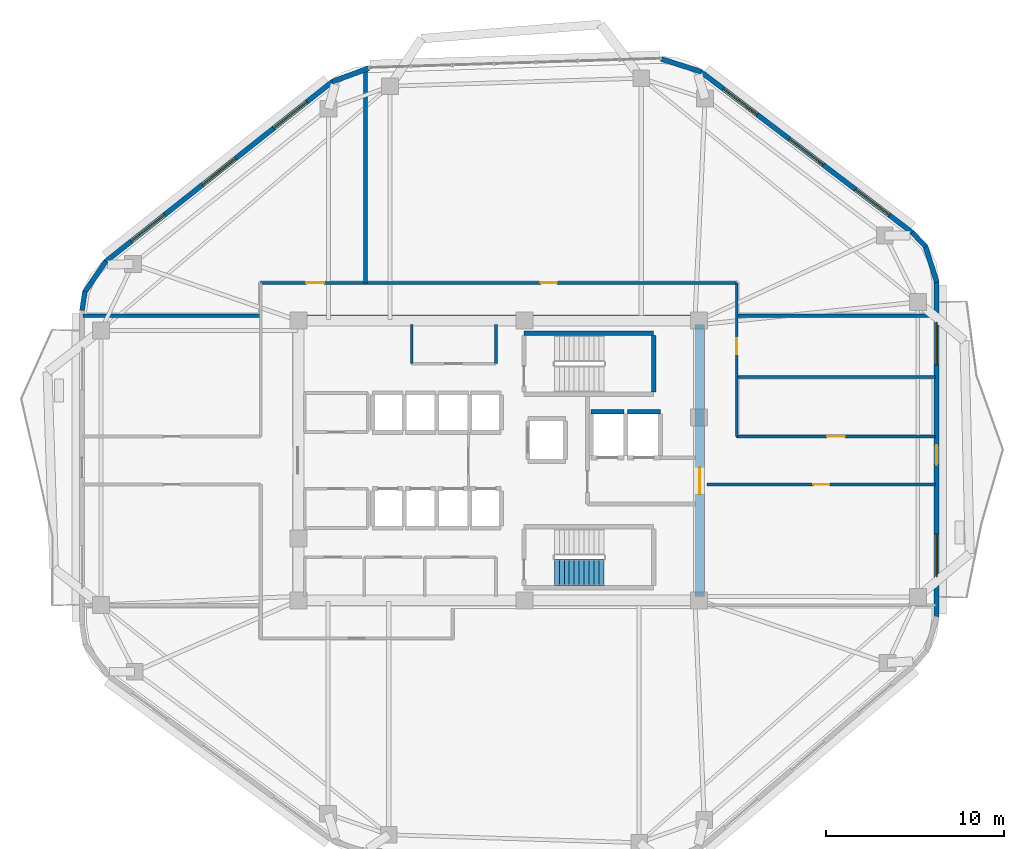
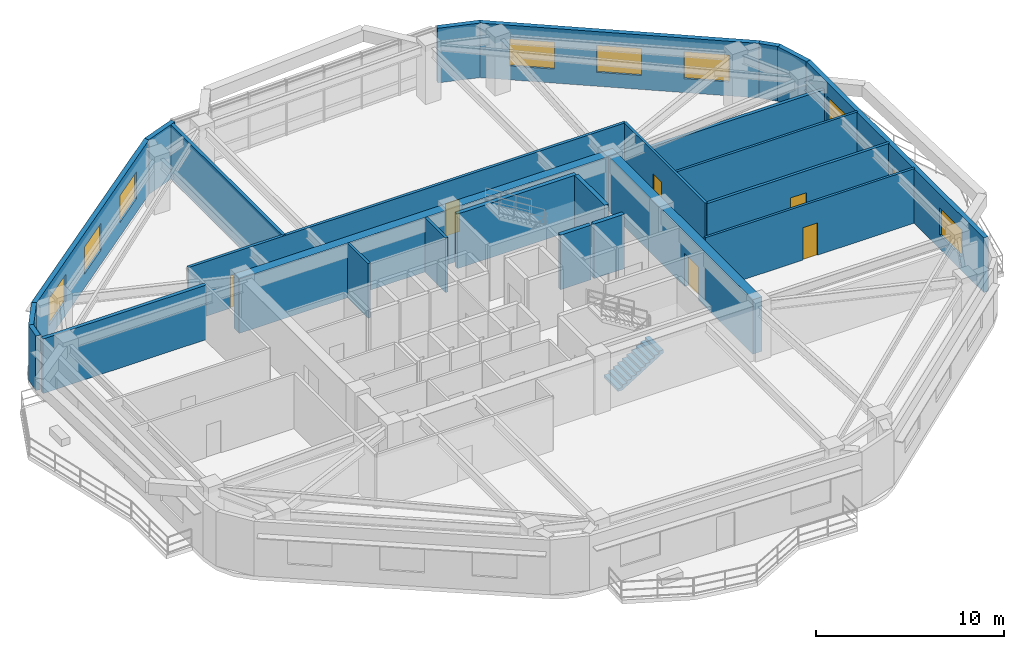
# One storey, part 8 of 12: 25 walls, 8 windows, 7 doors, 1 stair flight, 15 openings, 1 element without a shape of its own.
"""IFC4 building model written with IfcOpenShell, lengths in metres."""

from ifc_helpers import new_model, si_unit, direction, frame, frame_2d, origin, place, context, subcontext, project, spatial, polyline, rectangle, outline, extrude, material, layer, layer_set, type_object, element, fill, aggregate, save


model = new_model("IFC4")

# Units and contexts
model_context = context("Model", 3, precision=1e-05, world=origin(), true_north=direction((0.0, 1.0)))
body_context = subcontext(model_context, "Body", "Model", "MODEL_VIEW")
ifc_project = project(units=[si_unit("LENGTHUNIT", "METRE"), si_unit("AREAUNIT", "SQUARE_METRE"), si_unit("VOLUMEUNIT", "CUBIC_METRE"), si_unit("PLANEANGLEUNIT", "RADIAN"), si_unit("MASSUNIT", "GRAM", prefix="KILO")], contexts=[model_context])

# Site, building, storey
site_placement = place(None, origin())
site = spatial("IfcSite", under=ifc_project, at=site_placement, CompositionType="ELEMENT")
building_placement = place(site_placement, origin())
building = spatial("IfcBuilding", under=site, at=building_placement, Name="Zulverin Broadcast Headquarters", CompositionType="ELEMENT")
storey_placement = place(building_placement, frame((0.0, 0.0, 170.60009765625)))
storey = spatial("IfcBuildingStorey", under=building, at=storey_placement, Name="L43", CompositionType="ELEMENT", Elevation=170.60009765625)

# Walls
ifc_material_1 = material(Name="Acoustic drywall steel stud", Category="steel")
ifc_layer_1 = layer(ifc_material_1, 0.199951171875, Name="Acoustic drywall steel stud", Category="steel")
ifc_layer_set_1 = layer_set([ifc_layer_1], Name="Acoustic drywall steel stud")
wall_type_1 = type_object("IfcWallType", Name="WL-ACOU-200", PredefinedType="PARTITIONING", material=ifc_layer_set_1)
wall_1_placement = place(storey_placement, frame((29.5, 35.199951171875, 0.0), z_axis=(0.0, 0.0, 1.0), x_axis=(0.0, 1.0, 0.0)))
element("IfcWall", 1, at=wall_1_placement, inside=storey, type_object=wall_type_1, Name="L43 Room Partition Wall RP-03", PredefinedType="PARTITIONING", context=body_context, shape_type="SweptSolid", body=[
    extrude(rectangle(XDim=12.005859375, YDim=0.199951171875, at=frame_2d((6.0029296875, 0.0))), origin(), (0.0, 0.0, 1.0), 3.539794921875),
])
wall_2_placement = place(storey_placement, frame((50.39990234375, 33.35009765625, 0.0), z_axis=(0.0, 0.0, 1.0), x_axis=(1.0, 0.0, 0.0)))
element("IfcWall", 2, at=wall_2_placement, inside=storey, type_object=wall_type_1, Name="L43 Room Partition Wall RP-15", PredefinedType="PARTITIONING", context=body_context, shape_type="SweptSolid", body=[
    extrude(rectangle(XDim=11.195068359375, YDim=0.199951171875, at=frame_2d((5.59765625, 0.0))), origin(), (0.0, 0.0, 1.0), 2.922607421875),
])
ifc_material_2 = material(Name="Double-stud acoustic drywall", Category="gypsum")
ifc_layer_2 = layer(ifc_material_2, 0.219970703125, Name="Double-stud acoustic drywall", Category="gypsum")
ifc_layer_set_2 = layer_set([ifc_layer_2], Name="Double-stud acoustic drywall")
wall_type_2 = type_object("IfcWallType", Name="WL-ACOU-220", PredefinedType="PARTITIONING", material=ifc_layer_set_2)
wall_3_placement = place(storey_placement, frame((13.60498046875, 33.35009765625, 0.0), z_axis=(0.0, 0.0, 1.0), x_axis=(1.0, 0.0, 0.0)))
element("IfcWall", 3, at=wall_3_placement, inside=storey, type_object=wall_type_2, Name="L43 Room Partition Wall RP-14", PredefinedType="PARTITIONING", context=body_context, shape_type="SweptSolid", body=[
    extrude(rectangle(XDim=9.9951171875, YDim=0.219970703125, at=frame_2d((4.99755859375, 0.0))), origin(), (0.0, 0.0, 1.0), 3.539794921875),
])
ifc_material_3 = material(Name="Concrete C60/75", Category="concrete")
ifc_layer_3 = layer(ifc_material_3, 0.550048828125, Name="Concrete C60/75", Category="concrete")
ifc_layer_set_3 = layer_set([ifc_layer_3], Name="Concrete C60/75")
wall_type_3 = type_object("IfcWallType", Name="WL-CORE-550", PredefinedType="SHEAR", material=ifc_layer_set_3)
wall_4_placement = place(storey_placement, frame((25.39990234375, 33.125, 0.0), z_axis=(0.0, 0.0, 1.0), x_axis=(1.0, 0.0, 0.0)))
element("IfcWall", 4, at=wall_4_placement, inside=storey, type_object=wall_type_3, Name="L43 Core North Shear Wall", PredefinedType="SHEAR", context=body_context, shape_type="SweptSolid", body=[
    extrude(rectangle(XDim=23.2001953125, YDim=0.550048828125, at=frame_2d((11.60009765625, 0.0))), origin(), (0.0, 0.0, 1.0), 3.539794921875),
])

# Wall, opening, door
wall_5_placement = place(storey_placement, frame((48.324951171875, 17.550048828125, 0.0), z_axis=(0.0, 0.0, 1.0), x_axis=(0.0, 1.0, 0.0)))
wall_5 = element("IfcWall", 5, at=wall_5_placement, inside=storey, type_object=wall_type_3, Name="L43 Core East Shear Wall", PredefinedType="SHEAR", context=body_context, shape_type="SweptSolid", body=[
    extrude(rectangle(XDim=15.300048828125, YDim=0.550048828125, at=frame_2d((7.64990234375, 0.0))), origin(), (0.0, 0.0, 1.0), 3.539794921875),
])
opening_1_placement = place(wall_5_placement, frame((5.75, 0.0, 0.0)))
opening_1 = element("IfcOpeningElement", 6, at=opening_1_placement, cuts=wall_5, Name="Opening D-L43-CE1", PredefinedType="OPENING", context=body_context, shape_type="SweptSolid", body=[
    extrude(rectangle(XDim=1.5, YDim=2.14990234375, at=frame_2d((0.75, 1.074951171875))), frame((0.0, 0.284912109375, 0.0), z_axis=(0.0, -1.0, 0.0), x_axis=(1.0, 0.0, 0.0)), (0.0, 0.0, 1.0), 0.570068359375),
])
ifc_material_4 = material(Name="Fire-rated glazed steel frame", Category="steel")
door_type_1 = type_object("IfcDoorType", Name="DR-COR-1500", OperationType="DOUBLE_DOOR_SINGLE_SWING", PredefinedType="DOOR", material=ifc_material_4)
door_1_placement = place(opening_1_placement, origin())
door_1 = element("IfcDoor", 7, at=door_1_placement, inside=storey, type_object=door_type_1, Name="L43 Firefighting Lobby East Corridor Door", OperationType="DOUBLE_DOOR_SINGLE_SWING", OverallHeight=2.14990234375, OverallWidth=1.5, PredefinedType="DOOR", context=body_context, shape_type="SweptSolid", body=[
    extrude(rectangle(XDim=1.5, YDim=2.14990234375, at=frame_2d((0.75, 1.074951171875))), frame((0.0, 0.02490234375, 0.0), z_axis=(0.0, -1.0, 0.0), x_axis=(1.0, 0.0, 0.0)), (0.0, 0.0, 1.0), 0.050048828125),
])
fill(opening_1, door_1)

# Wall, openings, door, windows
ifc_material_5 = material(Name="Insulated pale-metal clad concrete spandrel C40/50", Category="concrete")
ifc_layer_4 = layer(ifc_material_5, 0.280029296875, Name="Insulated pale-metal clad concrete spandrel C40/50", Category="concrete")
ifc_layer_set_4 = layer_set([ifc_layer_4], Name="Insulated pale-metal clad concrete spandrel C40/50")
wall_type_4 = type_object("IfcWallType", Name="WL-EXT-280", PredefinedType="STANDARD", material=ifc_layer_set_4)
wall_6_placement = place(storey_placement, frame((61.659912109375, 16.369384765625, 0.0), z_axis=(0.0, 0.0, 1.0), x_axis=(0.0, 1.0, 0.0)))
wall_6 = element("IfcWall", 8, at=wall_6_placement, inside=storey, type_object=wall_type_4, Name="L43 Pale-Metal Clad Spandrel Wall 3", PredefinedType="STANDARD", context=body_context, shape_type="SweptSolid", body=[
    extrude(rectangle(XDim=18.902099609375, YDim=0.280029296875, at=frame_2d((9.451171875, 0.0))), origin(), (0.0, 0.0, 1.0), 3.539794921875),
])
opening_2_placement = place(wall_6_placement, frame((8.60107421875, 0.0, 0.0)))
opening_2 = element("IfcOpeningElement", 9, at=opening_2_placement, cuts=wall_6, Name="Opening D-L43-TR3", PredefinedType="OPENING", context=body_context, shape_type="SweptSolid", body=[
    extrude(rectangle(XDim=1.10009765625, YDim=2.199951171875, at=frame_2d((0.550048828125, 1.10009765625))), frame((0.0, 0.14990234375, 0.0), z_axis=(0.0, -1.0, 0.0), x_axis=(1.0, 0.0, 0.0)), (0.0, 0.0, 1.0), 0.300048828125),
])
opening_3_placement = place(wall_6_placement, frame((2.28369140625, 0.0, 0.89990234375)))
opening_3 = element("IfcOpeningElement", 10, at=opening_3_placement, cuts=wall_6, Name="Opening W-L43-E31", PredefinedType="OPENING", context=body_context, shape_type="SweptSolid", body=[
    extrude(rectangle(XDim=2.39990234375, YDim=1.75, at=frame_2d((1.199951171875, 0.875))), frame((0.0, 0.14990234375, 0.0), z_axis=(0.0, -1.0, 0.0), x_axis=(1.0, 0.0, 0.0)), (0.0, 0.0, 1.0), 0.300048828125),
])
opening_4_placement = place(wall_6_placement, frame((14.218505859375, 0.0, 0.89990234375)))
opening_4 = element("IfcOpeningElement", 11, at=opening_4_placement, cuts=wall_6, Name="Opening W-L43-E32", PredefinedType="OPENING", context=body_context, shape_type="SweptSolid", body=[
    extrude(rectangle(XDim=2.39990234375, YDim=1.75, at=frame_2d((1.199951171875, 0.875))), frame((0.0, 0.14990234375, 0.0), z_axis=(0.0, -1.0, 0.0), x_axis=(1.0, 0.0, 0.0)), (0.0, 0.0, 1.0), 0.300048828125),
])
ifc_material_6 = material(Name="Thermally broken aluminium glazed", Category="aluminium")
door_type_2 = type_object("IfcDoorType", Name="DR-TERR-1100", OperationType="SINGLE_SWING_RIGHT", PredefinedType="DOOR", material=ifc_material_6)
door_2_placement = place(opening_2_placement, origin())
door_2 = element("IfcDoor", 12, at=door_2_placement, inside=storey, type_object=door_type_2, Name="L43 Planted Terrace Glazed Access Door 3", OperationType="SINGLE_SWING_RIGHT", OverallHeight=2.199951171875, OverallWidth=1.10009765625, PredefinedType="DOOR", context=body_context, shape_type="SweptSolid", body=[
    extrude(rectangle(XDim=1.10009765625, YDim=2.199951171875, at=frame_2d((0.550048828125, 1.10009765625))), frame((0.0, 0.02490234375, 0.0), z_axis=(0.0, -1.0, 0.0), x_axis=(1.0, 0.0, 0.0)), (0.0, 0.0, 1.0), 0.050048828125),
])
fill(opening_2, door_2)
ifc_material_7 = material(Name="Pale anodized aluminium frame with solar-control low-E double glazing", Category="aluminium")
window_type = type_object("IfcWindowType", Name="WIN-RIB-2400", PartitioningType="SINGLE_PANEL", PredefinedType="WINDOW", material=ifc_material_7)
window_1_placement = place(opening_3_placement, origin())
window_1 = element("IfcWindow", 13, at=window_1_placement, inside=storey, type_object=window_type, Name="L43 Ribbon Glazing Window 3 1", OverallHeight=1.75, OverallWidth=2.39990234375, PartitioningType="SINGLE_PANEL", PredefinedType="WINDOW", context=body_context, shape_type="SweptSolid", body=[
    extrude(rectangle(XDim=2.39990234375, YDim=1.75, at=frame_2d((1.199951171875, 0.875))), frame((0.0, 0.030029296875, 0.0), z_axis=(0.0, -1.0, 0.0), x_axis=(1.0, 0.0, 0.0)), (0.0, 0.0, 1.0), 0.06005859375),
])
fill(opening_3, window_1)
window_2_placement = place(opening_4_placement, origin())
window_2 = element("IfcWindow", 14, at=window_2_placement, inside=storey, type_object=window_type, Name="L43 Ribbon Glazing Window 3 2", OverallHeight=1.75, OverallWidth=2.39990234375, PartitioningType="SINGLE_PANEL", PredefinedType="WINDOW", context=body_context, shape_type="SweptSolid", body=[
    extrude(rectangle(XDim=2.39990234375, YDim=1.75, at=frame_2d((1.199951171875, 0.875))), frame((0.0, 0.030029296875, 0.0), z_axis=(0.0, -1.0, 0.0), x_axis=(1.0, 0.0, 0.0)), (0.0, 0.0, 1.0), 0.06005859375),
])
fill(opening_4, window_2)

# Wall, openings, windows
wall_7_placement = place(storey_placement, frame((60.294921875, 38.025146484375, 0.0), z_axis=(0.0, 0.0, 1.0), x_axis=(-0.795831760834, 0.605517801925, 0.0)))
wall_7 = element("IfcWall", 15, at=wall_7_placement, inside=storey, type_object=wall_type_4, Name="L43 Pale-Metal Clad Spandrel Wall 4", PredefinedType="STANDARD", context=body_context, shape_type="SweptSolid", body=[
    extrude(rectangle(XDim=15.01171875, YDim=0.280029296875, at=frame_2d((7.505859375, 0.0))), origin(), (0.0, 0.0, 1.0), 3.539794921875),
])
opening_5_placement = place(wall_7_placement, frame((1.63525390625, 0.0, 0.89990234375)))
opening_5 = element("IfcOpeningElement", 16, at=opening_5_placement, cuts=wall_7, Name="Opening W-L43-E41", PredefinedType="OPENING", context=body_context, shape_type="SweptSolid", body=[
    extrude(rectangle(XDim=2.39990234375, YDim=1.75, at=frame_2d((1.199951171875, 0.875))), frame((0.0, 0.14990234375, 0.0), z_axis=(0.0, -1.0, 0.0), x_axis=(1.0, 0.0, 0.0)), (0.0, 0.0, 1.0), 0.300048828125),
])
opening_6_placement = place(wall_7_placement, frame((6.305908203125, 0.0, 0.89990234375)))
opening_6 = element("IfcOpeningElement", 17, at=opening_6_placement, cuts=wall_7, Name="Opening W-L43-E42", PredefinedType="OPENING", context=body_context, shape_type="SweptSolid", body=[
    extrude(rectangle(XDim=2.39990234375, YDim=1.75, at=frame_2d((1.199951171875, 0.875))), frame((0.0, 0.14990234375, 0.0), z_axis=(0.0, -1.0, 0.0), x_axis=(1.0, 0.0, 0.0)), (0.0, 0.0, 1.0), 0.300048828125),
])
opening_7_placement = place(wall_7_placement, frame((10.9765625, 0.0, 0.89990234375)))
opening_7 = element("IfcOpeningElement", 18, at=opening_7_placement, cuts=wall_7, Name="Opening W-L43-E43", PredefinedType="OPENING", context=body_context, shape_type="SweptSolid", body=[
    extrude(rectangle(XDim=2.39990234375, YDim=1.75, at=frame_2d((1.199951171875, 0.875))), frame((0.0, 0.14990234375, 0.0), z_axis=(0.0, -1.0, 0.0), x_axis=(1.0, 0.0, 0.0)), (0.0, 0.0, 1.0), 0.300048828125),
])
window_3_placement = place(opening_5_placement, origin())
window_3 = element("IfcWindow", 19, at=window_3_placement, inside=storey, type_object=window_type, Name="L43 Ribbon Glazing Window 4 1", OverallHeight=1.75, OverallWidth=2.39990234375, PartitioningType="SINGLE_PANEL", PredefinedType="WINDOW", context=body_context, shape_type="SweptSolid", body=[
    extrude(rectangle(XDim=2.39990234375, YDim=1.75, at=frame_2d((1.199951171875, 0.875))), frame((0.0, 0.030029296875, 0.0), z_axis=(0.0, -1.0, 0.0), x_axis=(1.0, 0.0, 0.0)), (0.0, 0.0, 1.0), 0.06005859375),
])
fill(opening_5, window_3)
window_4_placement = place(opening_6_placement, origin())
window_4 = element("IfcWindow", 20, at=window_4_placement, inside=storey, type_object=window_type, Name="L43 Ribbon Glazing Window 4 2", OverallHeight=1.75, OverallWidth=2.39990234375, PartitioningType="SINGLE_PANEL", PredefinedType="WINDOW", context=body_context, shape_type="SweptSolid", body=[
    extrude(rectangle(XDim=2.39990234375, YDim=1.75, at=frame_2d((1.199951171875, 0.875))), frame((0.0, 0.030029296875, 0.0), z_axis=(0.0, -1.0, 0.0), x_axis=(1.0, 0.0, 0.0)), (0.0, 0.0, 1.0), 0.06005859375),
])
fill(opening_6, window_4)
window_5_placement = place(opening_7_placement, origin())
window_5 = element("IfcWindow", 21, at=window_5_placement, inside=storey, type_object=window_type, Name="L43 Ribbon Glazing Window 4 3", OverallHeight=1.75, OverallWidth=2.39990234375, PartitioningType="SINGLE_PANEL", PredefinedType="WINDOW", context=body_context, shape_type="SweptSolid", body=[
    extrude(rectangle(XDim=2.39990234375, YDim=1.75, at=frame_2d((1.199951171875, 0.875))), frame((0.0, 0.030029296875, 0.0), z_axis=(0.0, -1.0, 0.0), x_axis=(1.0, 0.0, 0.0)), (0.0, 0.0, 1.0), 0.06005859375),
])
fill(opening_7, window_5)

wall_8_placement = place(storey_placement, frame((27.657958984375, 46.5498046875, 0.0), z_axis=(0.0, 0.0, 1.0), x_axis=(-0.783266285861, -0.621686356158, 0.0)))
wall_8 = element("IfcWall", 22, at=wall_8_placement, inside=storey, type_object=wall_type_4, Name="L43 Pale-Metal Clad Spandrel Wall 6", PredefinedType="STANDARD", context=body_context, shape_type="SweptSolid", body=[
    extrude(rectangle(XDim=16.35302734375, YDim=0.280029296875, at=frame_2d((8.176513671875, 0.0))), origin(), (0.0, 0.0, 1.0), 3.539794921875),
])
opening_8_placement = place(wall_8_placement, frame((1.85888671875, 0.0, 0.89990234375)))
opening_8 = element("IfcOpeningElement", 23, at=opening_8_placement, cuts=wall_8, Name="Opening W-L43-E61", PredefinedType="OPENING", context=body_context, shape_type="SweptSolid", body=[
    extrude(rectangle(XDim=2.39990234375, YDim=1.75, at=frame_2d((1.199951171875, 0.875))), frame((0.0, 0.14990234375, 0.0), z_axis=(0.0, -1.0, 0.0), x_axis=(1.0, 0.0, 0.0)), (0.0, 0.0, 1.0), 0.300048828125),
])
opening_9_placement = place(wall_8_placement, frame((6.9765625, 0.0, 0.89990234375)))
opening_9 = element("IfcOpeningElement", 24, at=opening_9_placement, cuts=wall_8, Name="Opening W-L43-E62", PredefinedType="OPENING", context=body_context, shape_type="SweptSolid", body=[
    extrude(rectangle(XDim=2.39990234375, YDim=1.75, at=frame_2d((1.199951171875, 0.875))), frame((0.0, 0.14990234375, 0.0), z_axis=(0.0, -1.0, 0.0), x_axis=(1.0, 0.0, 0.0)), (0.0, 0.0, 1.0), 0.300048828125),
])
opening_10_placement = place(wall_8_placement, frame((12.09423828125, 0.0, 0.89990234375)))
opening_10 = element("IfcOpeningElement", 25, at=opening_10_placement, cuts=wall_8, Name="Opening W-L43-E63", PredefinedType="OPENING", context=body_context, shape_type="SweptSolid", body=[
    extrude(rectangle(XDim=2.39990234375, YDim=1.75, at=frame_2d((1.199951171875, 0.875))), frame((0.0, 0.14990234375, 0.0), z_axis=(0.0, -1.0, 0.0), x_axis=(1.0, 0.0, 0.0)), (0.0, 0.0, 1.0), 0.300048828125),
])
window_6_placement = place(opening_8_placement, origin())
window_6 = element("IfcWindow", 26, at=window_6_placement, inside=storey, type_object=window_type, Name="L43 Ribbon Glazing Window 6 1", OverallHeight=1.75, OverallWidth=2.39990234375, PartitioningType="SINGLE_PANEL", PredefinedType="WINDOW", context=body_context, shape_type="SweptSolid", body=[
    extrude(rectangle(XDim=2.39990234375, YDim=1.75, at=frame_2d((1.199951171875, 0.875))), frame((0.0, 0.030029296875, 0.0), z_axis=(0.0, -1.0, 0.0), x_axis=(1.0, 0.0, 0.0)), (0.0, 0.0, 1.0), 0.06005859375),
])
fill(opening_8, window_6)
window_7_placement = place(opening_9_placement, origin())
window_7 = element("IfcWindow", 27, at=window_7_placement, inside=storey, type_object=window_type, Name="L43 Ribbon Glazing Window 6 2", OverallHeight=1.75, OverallWidth=2.39990234375, PartitioningType="SINGLE_PANEL", PredefinedType="WINDOW", context=body_context, shape_type="SweptSolid", body=[
    extrude(rectangle(XDim=2.39990234375, YDim=1.75, at=frame_2d((1.199951171875, 0.875))), frame((0.0, 0.030029296875, 0.0), z_axis=(0.0, -1.0, 0.0), x_axis=(1.0, 0.0, 0.0)), (0.0, 0.0, 1.0), 0.06005859375),
])
fill(opening_9, window_7)
window_8_placement = place(opening_10_placement, origin())
window_8 = element("IfcWindow", 28, at=window_8_placement, inside=storey, type_object=window_type, Name="L43 Ribbon Glazing Window 6 3", OverallHeight=1.75, OverallWidth=2.39990234375, PartitioningType="SINGLE_PANEL", PredefinedType="WINDOW", context=body_context, shape_type="SweptSolid", body=[
    extrude(rectangle(XDim=2.39990234375, YDim=1.75, at=frame_2d((1.199951171875, 0.875))), frame((0.0, 0.030029296875, 0.0), z_axis=(0.0, -1.0, 0.0), x_axis=(1.0, 0.0, 0.0)), (0.0, 0.0, 1.0), 0.06005859375),
])
fill(opening_10, window_8)

# Walls
wall_9_placement = place(storey_placement, frame((61.66650390625, 35.229248046875, 0.0), z_axis=(0.0, 0.0, 1.0), x_axis=(-0.302044777107, 0.953293738898, 0.0)))
element("IfcWall", 29, at=wall_9_placement, inside=storey, type_object=wall_type_4, Name="L43 Wind-Shaped Corner Spandrel Wall 3-1", PredefinedType="STANDARD", context=body_context, shape_type="SweptSolid", body=[
    extrude(rectangle(XDim=2.17431640625, YDim=0.280029296875, at=frame_2d((1.087158203125, 0.0))), origin(), (0.0, 0.0, 1.0), 3.539794921875),
])
wall_10_placement = place(storey_placement, frame((61.04248046875, 37.247314453125, 0.0), z_axis=(0.0, 0.0, 1.0), x_axis=(-0.694004126367, 0.719971022045, 0.0)))
element("IfcWall", 30, at=wall_10_placement, inside=storey, type_object=wall_type_4, Name="L43 Wind-Shaped Corner Spandrel Wall 3-2", PredefinedType="STANDARD", context=body_context, shape_type="SweptSolid", body=[
    extrude(rectangle(XDim=1.10009765625, YDim=0.280029296875, at=frame_2d((0.550048828125, 0.0))), origin(), (0.0, 0.0, 1.0), 3.539794921875),
])
wall_11_placement = place(storey_placement, frame((48.390380859375, 47.093017578125, 0.0), z_axis=(0.0, 0.0, 1.0), x_axis=(-0.952537789199, 0.304420367499, 0.0)))
element("IfcWall", 31, at=wall_11_placement, inside=storey, type_object=wall_type_4, Name="L43 Wind-Shaped Corner Spandrel Wall 4-1", PredefinedType="STANDARD", context=body_context, shape_type="SweptSolid", body=[
    extrude(rectangle(XDim=2.343505859375, YDim=0.280029296875, at=frame_2d((1.171875, 0.0))), origin(), (0.0, 0.0, 1.0), 3.539794921875),
])
wall_12_placement = place(storey_placement, frame((29.681884765625, 47.283935546875, 0.0), z_axis=(0.0, 0.0, 1.0), x_axis=(-0.938946936771, -0.344061985589, 0.0)))
element("IfcWall", 32, at=wall_12_placement, inside=storey, type_object=wall_type_4, Name="L43 Wind-Shaped Corner Spandrel Wall 5-1", PredefinedType="STANDARD", context=body_context, shape_type="SweptSolid", body=[
    extrude(rectangle(XDim=2.19677734375, YDim=0.280029296875, at=frame_2d((1.098388671875, 0.0))), origin(), (0.0, 0.0, 1.0), 3.539794921875),
])
wall_13_placement = place(storey_placement, frame((14.877685546875, 36.4140625, 0.0), z_axis=(0.0, 0.0, 1.0), x_axis=(-0.564564614133, -0.825388875906, 0.0)))
element("IfcWall", 33, at=wall_13_placement, inside=storey, type_object=wall_type_4, Name="L43 Wind-Shaped Corner Spandrel Wall 6-1", PredefinedType="STANDARD", context=body_context, shape_type="SweptSolid", body=[
    extrude(rectangle(XDim=2.127685546875, YDim=0.280029296875, at=frame_2d((1.06396484375, 0.0))), origin(), (0.0, 0.0, 1.0), 3.539794921875),
])
wall_14_placement = place(storey_placement, frame((13.69921875, 34.716064453125, 0.0), z_axis=(0.0, 0.0, 1.0), x_axis=(-0.149549920187, -0.988754176412, 0.0)))
element("IfcWall", 34, at=wall_14_placement, inside=storey, type_object=wall_type_4, Name="L43 Wind-Shaped Corner Spandrel Wall 6-2", PredefinedType="STANDARD", context=body_context, shape_type="SweptSolid", body=[
    extrude(rectangle(XDim=1.075927734375, YDim=0.280029296875, at=frame_2d((0.5380859375, 0.0))), origin(), (0.0, 0.0, 1.0), 3.539794921875),
])
ifc_material_8 = material(Name="Fire-rated gypsum stud partition", Category="gypsum")
ifc_layer_5 = layer(ifc_material_8, 0.14990234375, Name="Fire-rated gypsum stud partition", Category="gypsum")
ifc_layer_set_5 = layer_set([ifc_layer_5], Name="Fire-rated gypsum stud partition")
wall_type_5 = type_object("IfcWallType", Name="WL-PART-150", PredefinedType="PARTITIONING", material=ifc_layer_set_5)
for number, where, z_axis, x_axis, name in (
    (35, (32.10009765625, 30.64990234375, 0.0), (0.0, 0.0, 1.0), (0.0, 1.0, 0.0), "L43 Core Accessible WC & Electrical Riser West Wall"),
    (36, (36.85009765625, 30.64990234375, 0.0), (0.0, 0.0, 1.0), (0.0, 1.0, 0.0), "L43 Core Accessible WC & Electrical Riser East Wall"),
):
    element("IfcWall", number, at=place(storey_placement, frame(where, z_axis=z_axis, x_axis=x_axis)), inside=storey, type_object=wall_type_5, Name=name, PredefinedType="PARTITIONING", context=body_context, shape_type="SweptSolid", body=[
        extrude(rectangle(XDim=2.2001953125, YDim=0.14990234375, at=frame_2d((1.10009765625, 0.0))), origin(), (0.0, 0.0, 1.0), 3.539794921875),
    ])

# Wall, opening, door
wall_15_placement = place(storey_placement, frame((50.39990234375, 26.550048828125, 0.0), z_axis=(0.0, 0.0, 1.0), x_axis=(0.0, 1.0, 0.0)))
wall_15 = element("IfcWall", 37, at=wall_15_placement, inside=storey, type_object=wall_type_5, Name="L43 Gallery Partition Wall CG-01", PredefinedType="PARTITIONING", context=body_context, shape_type="SweptSolid", body=[
    extrude(rectangle(XDim=8.64990234375, YDim=0.14990234375, at=frame_2d((4.324951171875, 0.0))), origin(), (0.0, 0.0, 1.0), 3.539794921875),
])
opening_11_placement = place(wall_15_placement, frame((4.625, 0.0, 0.0)))
opening_11 = element("IfcOpeningElement", 38, at=opening_11_placement, cuts=wall_15, Name="Opening D-L43-08", PredefinedType="OPENING", context=body_context, shape_type="SweptSolid", body=[
    extrude(rectangle(XDim=0.89990234375, YDim=2.10009765625, at=frame_2d((0.449951171875, 1.050048828125))), frame((0.0, 0.0849609375, 0.0), z_axis=(0.0, -1.0, 0.0), x_axis=(1.0, 0.0, 0.0)), (0.0, 0.0, 1.0), 0.169921875),
])
ifc_material_9 = material(Name="Fire-rated hardwood veneer timber leaf", Category="wood")
door_type_3 = type_object("IfcDoorType", Name="DR-ROOM-900", OperationType="SINGLE_SWING_RIGHT", PredefinedType="DOOR", material=ifc_material_9)
door_3_placement = place(opening_11_placement, origin())
door_3 = element("IfcDoor", 39, at=door_3_placement, inside=storey, type_object=door_type_3, Name="L43 Press Conference Room Door", OperationType="SINGLE_SWING_LEFT", OverallHeight=2.10009765625, OverallWidth=0.89990234375, PredefinedType="DOOR", context=body_context, shape_type="SweptSolid", body=[
    extrude(rectangle(XDim=0.89990234375, YDim=2.10009765625, at=frame_2d((0.449951171875, 1.050048828125))), frame((0.0, 0.02490234375, 0.0), z_axis=(0.0, -1.0, 0.0), x_axis=(1.0, 0.0, 0.0)), (0.0, 0.0, 1.0), 0.050048828125),
])
fill(opening_11, door_3)

wall_16_placement = place(storey_placement, frame((48.739990234375, 23.85009765625, 0.0), z_axis=(0.0, 0.0, 1.0), x_axis=(1.0, 0.0, 0.0)))
wall_16 = element("IfcWall", 40, at=wall_16_placement, inside=storey, type_object=wall_type_5, Name="L43 Gallery Partition Wall CG-10", PredefinedType="PARTITIONING", context=body_context, shape_type="SweptSolid", body=[
    extrude(rectangle(XDim=12.85498046875, YDim=0.14990234375, at=frame_2d((6.427490234375, 0.0))), origin(), (0.0, 0.0, 1.0), 3.539794921875),
])
opening_12_placement = place(wall_16_placement, frame((5.9775390625, 0.0, 0.0)))
opening_12 = element("IfcOpeningElement", 41, at=opening_12_placement, cuts=wall_16, Name="Opening D-L43-06", PredefinedType="OPENING", context=body_context, shape_type="SweptSolid", body=[
    extrude(rectangle(XDim=0.89990234375, YDim=2.10009765625, at=frame_2d((0.449951171875, 1.050048828125))), frame((0.0, 0.0849609375, 0.0), z_axis=(0.0, -1.0, 0.0), x_axis=(1.0, 0.0, 0.0)), (0.0, 0.0, 1.0), 0.169921875),
])
door_4_placement = place(opening_12_placement, origin())
door_4 = element("IfcDoor", 42, at=door_4_placement, inside=storey, type_object=door_type_3, Name="L43 Transfer Concierge Foyer Door", OperationType="SINGLE_SWING_LEFT", OverallHeight=2.10009765625, OverallWidth=0.89990234375, PredefinedType="DOOR", context=body_context, shape_type="SweptSolid", body=[
    extrude(rectangle(XDim=0.89990234375, YDim=2.10009765625, at=frame_2d((0.449951171875, 1.050048828125))), frame((0.0, 0.02490234375, 0.0), z_axis=(0.0, -1.0, 0.0), x_axis=(1.0, 0.0, 0.0)), (0.0, 0.0, 1.0), 0.050048828125),
])
fill(opening_12, door_4)

# Wall
wall_17_placement = place(storey_placement, frame((50.39990234375, 29.89990234375, 0.0), z_axis=(0.0, 0.0, 1.0), x_axis=(1.0, 0.0, 0.0)))
element("IfcWall", 43, at=wall_17_placement, inside=storey, type_object=wall_type_5, Name="L43 Room Partition Wall RP-13", PredefinedType="PARTITIONING", context=body_context, shape_type="SweptSolid", body=[
    extrude(rectangle(XDim=11.195068359375, YDim=0.14990234375, at=frame_2d((5.59765625, 0.0))), origin(), (0.0, 0.0, 1.0), 3.539794921875),
])

# Wall, opening, door
ifc_material_10 = material(Name="Fire-rated acoustic stud wall", Category="gypsum")
ifc_layer_6 = layer(ifc_material_10, 0.175048828125, Name="Fire-rated acoustic stud wall", Category="gypsum")
ifc_layer_set_6 = layer_set([ifc_layer_6], Name="Fire-rated acoustic stud wall")
wall_type_6 = type_object("IfcWallType", Name="WL-PART-175", PredefinedType="PARTITIONING", material=ifc_layer_set_6)
wall_18_placement = place(storey_placement, frame((50.39990234375, 26.550048828125, 0.0), z_axis=(0.0, 0.0, 1.0), x_axis=(1.0, 0.0, 0.0)))
wall_18 = element("IfcWall", 44, at=wall_18_placement, inside=storey, type_object=wall_type_6, Name="L43 Gallery Partition Wall CG-12", PredefinedType="PARTITIONING", context=body_context, shape_type="SweptSolid", body=[
    extrude(rectangle(XDim=11.195068359375, YDim=0.175048828125, at=frame_2d((5.59765625, 0.0))), origin(), (0.0, 0.0, 1.0), 3.539794921875),
])
opening_13_placement = place(wall_18_placement, frame((5.097412109375, 0.0, 0.0)))
opening_13 = element("IfcOpeningElement", 45, at=opening_13_placement, cuts=wall_18, Name="Opening D-L43-07", PredefinedType="OPENING", context=body_context, shape_type="SweptSolid", body=[
    extrude(rectangle(XDim=1.0, YDim=2.1201171875, at=frame_2d((0.5, 1.06005859375))), frame((0.0, 0.097412109375, 0.0), z_axis=(0.0, -1.0, 0.0), x_axis=(1.0, 0.0, 0.0)), (0.0, 0.0, 1.0), 0.195068359375),
])
ifc_material_11 = material(Name="Hardwood veneer acoustic leaf", Category="wood")
door_type_4 = type_object("IfcDoorType", Name="DR-OFF-1000", OperationType="SINGLE_SWING_LEFT", PredefinedType="DOOR", material=ifc_material_11)
door_5_placement = place(opening_13_placement, origin())
door_5 = element("IfcDoor", 46, at=door_5_placement, inside=storey, type_object=door_type_4, Name="L43 Open Media Workplace Door", OperationType="SINGLE_SWING_RIGHT", OverallHeight=2.1201171875, OverallWidth=1.0, PredefinedType="DOOR", context=body_context, shape_type="SweptSolid", body=[
    extrude(rectangle(XDim=1.0, YDim=2.1201171875, at=frame_2d((0.5, 1.06005859375))), frame((0.0, 0.02490234375, 0.0), z_axis=(0.0, -1.0, 0.0), x_axis=(1.0, 0.0, 0.0)), (0.0, 0.0, 1.0), 0.050048828125),
])
fill(opening_13, door_5)

# Wall, openings, doors
wall_19_placement = place(storey_placement, frame((23.60009765625, 35.199951171875, 0.0), z_axis=(0.0, 0.0, 1.0), x_axis=(1.0, 0.0, 0.0)))
wall_19 = element("IfcWall", 47, at=wall_19_placement, inside=storey, type_object=wall_type_6, Name="L43 Gallery Partition Wall CG-16", PredefinedType="PARTITIONING", context=body_context, shape_type="SweptSolid", body=[
    extrude(rectangle(XDim=26.7998046875, YDim=0.175048828125, at=frame_2d((13.39990234375, 0.0))), origin(), (0.0, 0.0, 1.0), 3.539794921875),
])
opening_14_placement = place(wall_19_placement, frame((2.570068359375, 0.0, 0.0)))
opening_14 = element("IfcOpeningElement", 48, at=opening_14_placement, cuts=wall_19, Name="Opening D-L43-01", PredefinedType="OPENING", context=body_context, shape_type="SweptSolid", body=[
    extrude(rectangle(XDim=1.0, YDim=2.1201171875, at=frame_2d((0.5, 1.06005859375))), frame((0.0, 0.097412109375, 0.0), z_axis=(0.0, -1.0, 0.0), x_axis=(1.0, 0.0, 0.0)), (0.0, 0.0, 1.0), 0.195068359375),
])
opening_15_placement = place(wall_19_placement, frame((15.780029296875, 0.0, 0.0)))
opening_15 = element("IfcOpeningElement", 49, at=opening_15_placement, cuts=wall_19, Name="Opening D-L43-02", PredefinedType="OPENING", context=body_context, shape_type="SweptSolid", body=[
    extrude(rectangle(XDim=0.89990234375, YDim=2.10009765625, at=frame_2d((0.449951171875, 1.050048828125))), frame((0.0, 0.097412109375, 0.0), z_axis=(0.0, -1.0, 0.0), x_axis=(1.0, 0.0, 0.0)), (0.0, 0.0, 1.0), 0.195068359375),
])
door_6_placement = place(opening_14_placement, origin())
door_6 = element("IfcDoor", 50, at=door_6_placement, inside=storey, type_object=door_type_4, Name="L43 Open Media Workplace Door", OperationType="SINGLE_SWING_RIGHT", OverallHeight=2.1201171875, OverallWidth=1.0, PredefinedType="DOOR", context=body_context, shape_type="SweptSolid", body=[
    extrude(rectangle(XDim=1.0, YDim=2.1201171875, at=frame_2d((0.5, 1.06005859375))), frame((0.0, 0.02490234375, 0.0), z_axis=(0.0, -1.0, 0.0), x_axis=(1.0, 0.0, 0.0)), (0.0, 0.0, 1.0), 0.050048828125),
])
fill(opening_14, door_6)
door_7_placement = place(opening_15_placement, origin())
door_7 = element("IfcDoor", 51, at=door_7_placement, inside=storey, type_object=door_type_3, Name="L43 Press Conference Room Door", OperationType="SINGLE_SWING_LEFT", OverallHeight=2.10009765625, OverallWidth=0.89990234375, PredefinedType="DOOR", context=body_context, shape_type="SweptSolid", body=[
    extrude(rectangle(XDim=0.89990234375, YDim=2.10009765625, at=frame_2d((0.449951171875, 1.050048828125))), frame((0.0, 0.02490234375, 0.0), z_axis=(0.0, -1.0, 0.0), x_axis=(1.0, 0.0, 0.0)), (0.0, 0.0, 1.0), 0.050048828125),
])
fill(opening_15, door_7)

# Walls
ifc_material_12 = material(Name="Concrete C50/60", Category="concrete")
ifc_layer_7 = layer(ifc_material_12, 0.25, Name="Concrete C50/60", Category="concrete")
ifc_layer_set_7 = layer_set([ifc_layer_7], Name="Concrete C50/60")
wall_type_7 = type_object("IfcWallType", Name="WL-SHAFT-250", PredefinedType="SHEAR", material=ifc_layer_set_7)
wall_20_placement = place(storey_placement, frame((38.425048828125, 32.375, 0.0), z_axis=(0.0, 0.0, 1.0), x_axis=(1.0, 0.0, 0.0)))
element("IfcWall", 52, at=wall_20_placement, inside=storey, type_object=wall_type_7, Name="L43 ST-1 Enclosure Wall N", PredefinedType="SHEAR", context=body_context, shape_type="SweptSolid", body=[
    extrude(rectangle(XDim=7.300048828125, YDim=0.25, at=frame_2d((3.64990234375, 0.0))), origin(), (0.0, 0.0, 1.0), 3.539794921875),
])
wall_21_placement = place(storey_placement, frame((45.72509765625, 29.050048828125, 0.0), z_axis=(0.0, 0.0, 1.0), x_axis=(0.0, 1.0, 0.0)))
element("IfcWall", 53, at=wall_21_placement, inside=storey, type_object=wall_type_7, Name="L43 ST-1 Enclosure Wall E", PredefinedType="SHEAR", context=body_context, shape_type="SweptSolid", body=[
    extrude(rectangle(XDim=3.199951171875, YDim=0.25, at=frame_2d((1.60009765625, 0.0))), origin(), (0.0, 0.0, 1.0), 3.539794921875),
])
for number, where, z_axis, x_axis, name in (
    (54, (42.199951171875, 27.949951171875, 0.0), (0.0, 0.0, 1.0), (1.0, 0.0, 0.0), "L43 Lift FFL-1 Shaft Wall N"),
    (55, (44.25, 27.949951171875, 0.0), (0.0, 0.0, 1.0), (1.0, 0.0, 0.0), "L43 Lift FFL-2 Shaft Wall N"),
):
    element("IfcWall", number, at=place(storey_placement, frame(where, z_axis=z_axis, x_axis=x_axis)), inside=storey, type_object=wall_type_7, Name=name, PredefinedType="SHEAR", context=body_context, shape_type="SweptSolid", body=[
        extrude(rectangle(XDim=1.85009765625, YDim=0.25, at=frame_2d((0.925048828125, 0.0))), origin(), (0.0, 0.0, 1.0), 3.539794921875),
    ])

# Stair, stair flight
ifc_material_13 = material(Name="Concrete C40/50", Category="concrete")
stair_type = type_object("IfcStairType", Name="ST-CORE-1500", PredefinedType="HALF_TURN_STAIR", material=ifc_material_13)
stair_placement = place(storey_placement, origin())
stair = element("IfcStair", 56, at=stair_placement, inside=storey, type_object=stair_type, Name="L43 Core Exit Stair ST-2", PredefinedType="HALF_TURN_STAIR")
stair_flight_type = type_object("IfcStairFlightType", Name="SF-CORE-1500", PredefinedType="STRAIGHT", material=ifc_material_13)
stair_flight_placement = place(storey_placement, frame((40.1298828125, 18.89990234375, 0.0), z_axis=(0.0, 0.0, 1.0), x_axis=(1.0, 0.0, 0.0)))
stair_flight = element("IfcStairFlight", 57, at=stair_flight_placement, type_object=stair_flight_type, Name="ST-2 flight 1", NumberOfRisers=11, NumberOfTreads=10, PredefinedType="STRAIGHT", RiserHeight=0.172727273, TreadLength=0.28, context=body_context, shape_type="SweptSolid", body=[
    extrude(outline(polyline([(0.0, 0.0), (0.0, 0.172607421875), (0.280029296875, 0.172607421875), (0.280029296875, 0.345458984375), (0.56005859375, 0.345458984375), (0.56005859375, 0.51806640625), (0.840087890625, 0.51806640625), (0.840087890625, 0.69091796875), (1.1201171875, 0.69091796875), (1.1201171875, 0.863525390625), (1.39990234375, 0.863525390625), (1.39990234375, 1.036376953125), (1.679931640625, 1.036376953125), (1.679931640625, 1.208984375), (1.9599609375, 1.208984375), (1.9599609375, 1.3818359375), (2.239990234375, 1.3818359375), (2.239990234375, 1.554443359375), (2.52001953125, 1.554443359375), (2.52001953125, 1.727294921875), (2.800048828125, 1.727294921875), (2.800048828125, 1.89990234375), (2.800048828125, 1.551025390625), (0.285400390625, 0.0), (0.0, 0.0)])), frame((0.0, 0.75, 0.0), z_axis=(0.0, -1.0, 0.0), x_axis=(1.0, 0.0, 0.0)), (0.0, 0.0, 1.0), 1.5),
])
aggregate(stair, [stair_flight])

save(model, "model.ifc")
